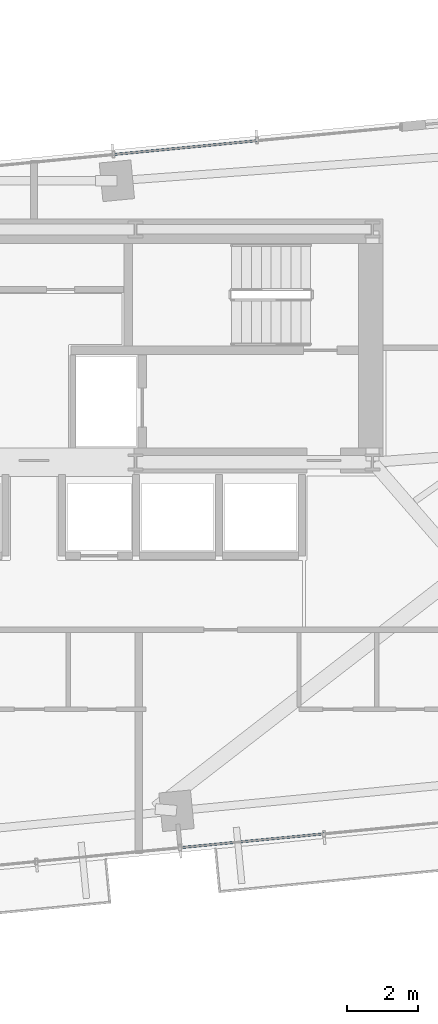
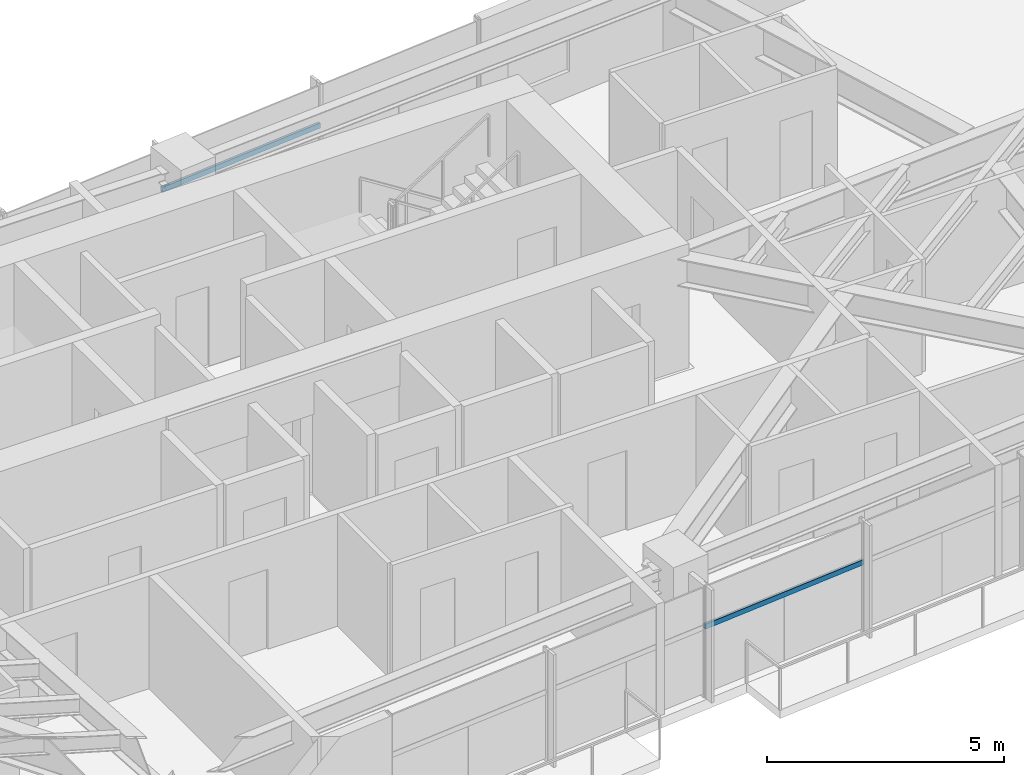
# One storey, part 11 of 27: 2 members, 2 elements without a shape of their own.
"""IFC4 building model written with IfcOpenShell, lengths in metres."""

from ifc_helpers import new_model, si_unit, direction, frame, origin, origin_2d, place, context, subcontext, project, spatial, hollow_rectangle, extrude, source, transform, mapped, material, material_profile, profile_set, type_object, type_shapes, element, aggregate, save


model = new_model("IFC4")

# Units and contexts
model_context = context("Model", 3, precision=1e-05, world=origin(), true_north=direction((0.0, 1.0)))
body_context = subcontext(model_context, "Body", "Model", "MODEL_VIEW")
ifc_project = project(units=[si_unit("LENGTHUNIT", "METRE"), si_unit("AREAUNIT", "SQUARE_METRE"), si_unit("VOLUMEUNIT", "CUBIC_METRE"), si_unit("PLANEANGLEUNIT", "RADIAN"), si_unit("MASSUNIT", "GRAM", prefix="KILO")], contexts=[model_context])

# Site, building, storey
site_placement = place(None, origin())
site = spatial("IfcSite", under=ifc_project, at=site_placement, CompositionType="ELEMENT")
building_placement = place(site_placement, origin())
building = spatial("IfcBuilding", under=site, at=building_placement, Name="Astriad Promenade Condominiums", CompositionType="ELEMENT")
storey_placement = place(building_placement, frame((0.0, 0.0, 116.199951171875)))
storey = spatial("IfcBuildingStorey", under=building, at=storey_placement, Name="L33", CompositionType="ELEMENT", Elevation=116.199951171875)

# Curtain wall, member
ifc_material_1 = material(Name="Anodised aluminium Black Dark Glass Unitised", Category="aluminium")
curtain_wall_type = type_object("IfcCurtainWallType", Name="CW-B2-DARK", PredefinedType="USERDEFINED", material=ifc_material_1)
curtain_wall_1_placement = place(storey_placement, origin())
curtain_wall_1 = element("IfcCurtainWall", 1, at=curtain_wall_1_placement, inside=storey, type_object=curtain_wall_type, Name="CW-L33-N", ObjectType="UNITISED_CURTAIN_WALL", PredefinedType="USERDEFINED")
ifc_material_2 = material(Name="Anodised aluminium 6063-T6 Black", Category="aluminium")
ifc_material_profile = material_profile(ifc_material_2, hollow_rectangle(XDim=0.06494140625, YDim=0.1298828125, WallThickness=0.00390625, at=origin_2d()), Name="ALU-TRN-65X130")
ifc_profile_set = profile_set([ifc_material_profile], Name="Anodised aluminium 6063-T6 Black")
member_type = type_object("IfcMemberType", Name="TRN-ALU-TRN-65X130", PredefinedType="USERDEFINED", material=ifc_profile_set)
shared_shape = source(origin(), body_context, "Body", "SweptSolid", [
    extrude(hollow_rectangle(XDim=0.06494140625, YDim=0.1298828125, WallThickness=0.00390625, at=origin_2d()), origin(), (0.0, 0.0, 1.0), 4.094970703125),
])
type_shapes(member_type, [shared_shape])
member_1_placement = place(storey_placement, frame((38.25390625, 26.12451171875, 1.798095703125), z_axis=(0.995394161585, 0.09586690296, 0.0), x_axis=(-0.09586690296, 0.995394161585, 0.0)))
member_1 = element("IfcMember", 2, at=member_1_placement, type_object=member_type, Name="CW-L33-N-TRN-02-0", ObjectType="TRANSOM", PredefinedType="USERDEFINED", context=body_context, shape_type="MappedRepresentation", body=[
    mapped(shared_shape, transform((0.0, 0.0, 0.0), scale=1.0)),
])
aggregate(curtain_wall_1, [member_1])

curtain_wall_2_placement = place(storey_placement, origin())
curtain_wall_2 = element("IfcCurtainWall", 3, at=curtain_wall_2_placement, inside=storey, type_object=curtain_wall_type, Name="CW-L33-S", ObjectType="UNITISED_CURTAIN_WALL", PredefinedType="USERDEFINED")
member_2_placement = place(storey_placement, frame((44.22216796875, 6.867919921875, 1.798095703125), z_axis=(-0.995394161585, -0.09586690296, 0.0), x_axis=(0.09586690296, -0.995394161585, 0.0)))
member_2 = element("IfcMember", 4, at=member_2_placement, type_object=member_type, Name="CW-L33-S-TRN-01-0", ObjectType="TRANSOM", PredefinedType="USERDEFINED", context=body_context, shape_type="MappedRepresentation", body=[
    mapped(shared_shape, transform((0.0, 0.0, 0.0), scale=1.0)),
])
aggregate(curtain_wall_2, [member_2])

save(model, "model.ifc")
